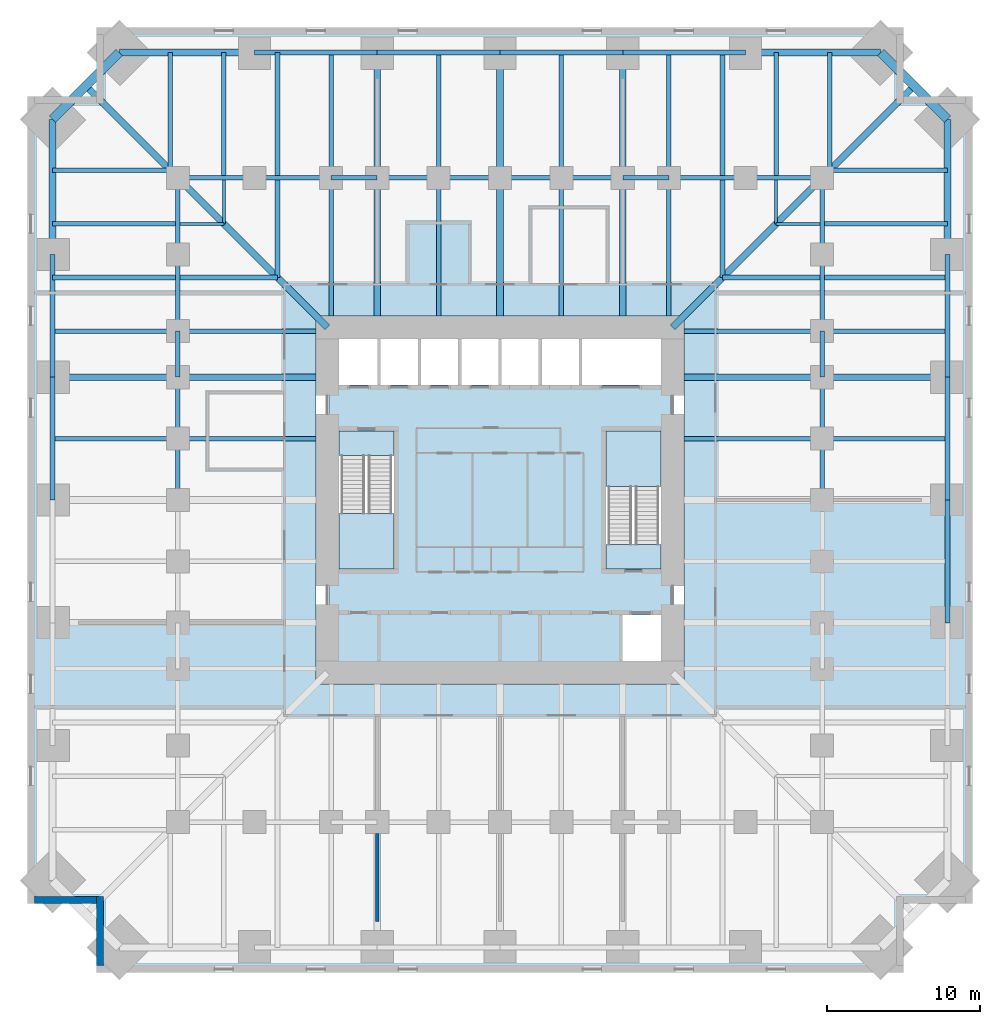
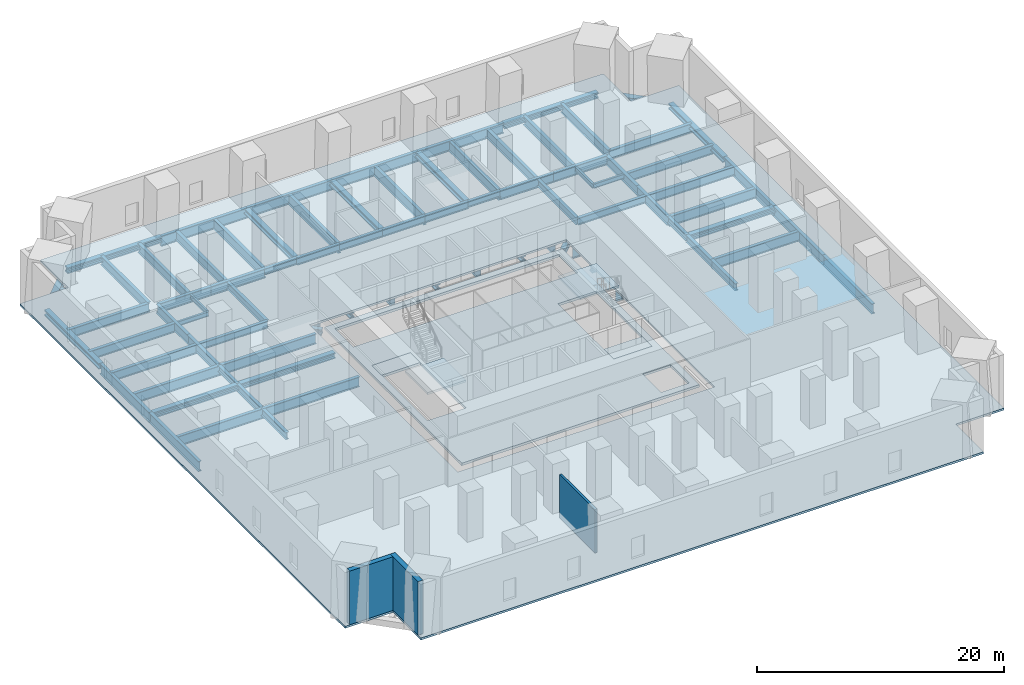
# One storey, part 2 of 8: 85 beams, 6 slabs, 3 walls, 2 elements without a shape of their own.
"""IFC4 building model written with IfcOpenShell, lengths in metres."""

from ifc_helpers import new_model, si_unit, direction, frame, frame_2d, origin, origin_2d, place, context, subcontext, project, spatial, polyline, rectangle, hollow_rectangle, i_section, outline, extrude, material, layer, layer_set, material_profile, profile_set, type_object, element, aggregate, save


model = new_model("IFC4")

# Units and contexts
model_context = context("Model", 3, precision=1e-05, world=origin(), true_north=direction((0.0, 1.0)))
body_context = subcontext(model_context, "Body", "Model", "MODEL_VIEW")
ifc_project = project(units=[si_unit("LENGTHUNIT", "METRE"), si_unit("AREAUNIT", "SQUARE_METRE"), si_unit("VOLUMEUNIT", "CUBIC_METRE"), si_unit("PLANEANGLEUNIT", "RADIAN"), si_unit("MASSUNIT", "GRAM", prefix="KILO")], contexts=[model_context])

# Site, building, storey
site_placement = place(None, origin())
site = spatial("IfcSite", under=ifc_project, at=site_placement, CompositionType="ELEMENT")
building_placement = place(site_placement, origin())
building = spatial("IfcBuilding", under=site, at=building_placement, Name="Peilmerk Tower", CompositionType="ELEMENT")
storey_placement = place(building_placement, frame((0.0, 0.0, 43.0)))
storey = spatial("IfcBuildingStorey", under=building, at=storey_placement, Name="L08", CompositionType="ELEMENT", Elevation=43.0)

# Beams
ifc_material_1 = material(Name="Steel S355", Category="steel")
ifc_material_profile_1 = material_profile(ifc_material_1, i_section(OverallWidth=0.302001953125, OverallDepth=1.008056640625, WebThickness=0.02099609375, FlangeThickness=0.0400390625, at=origin_2d()), Name="HEM 1000")
ifc_profile_set_1 = profile_set([ifc_material_profile_1], Name="Steel S355")
beam_type_1 = type_object("IfcBeamType", Name="B1 HEM 1000 edge beam", PredefinedType="SPANDREL", material=ifc_profile_set_1)
for number, where, z_axis, x_axis, name in (
    (1, (16.0, 29.162841796875, -0.7041015625), (-1.0, 0.0, 0.0), (0.0, -1.0, 0.0), "Edge beam L08"),
    (2, (8.0, 29.162841796875, -0.7041015625), (-1.0, 0.0, 0.0), (0.0, -1.0, 0.0), "Edge beam L08"),
    (3, (0.0, 29.162841796875, -0.7041015625), (-1.0, 0.0, 0.0), (0.0, -1.0, 0.0), "Edge beam L08"),
    (4, (-8.0, 29.162841796875, -0.7041015625), (-1.0, 0.0, 0.0), (0.0, -1.0, 0.0), "Edge beam L08"),
    (5, (29.162841796875, -8.0, -0.7041015625), (0.0, 1.0, 0.0), (-1.0, 0.0, 0.0), "Edge beam L08"),
    (6, (29.162841796875, 0.0, -0.7041015625), (0.0, 1.0, 0.0), (-1.0, 0.0, 0.0), "Edge beam L08"),
    (7, (29.162841796875, 8.0, -0.7041015625), (0.0, 1.0, 0.0), (-1.0, 0.0, 0.0), "Edge beam L08"),
    (8, (-29.162841796875, 16.0, -0.7041015625), (0.0, -1.0, 0.0), (1.0, 0.0, 0.0), "Edge beam L08"),
    (9, (-29.162841796875, 8.0, -0.7041015625), (0.0, -1.0, 0.0), (1.0, 0.0, 0.0), "Edge beam L08"),
):
    element("IfcBeam", number, at=place(storey_placement, frame(where, z_axis=z_axis, x_axis=x_axis)), inside=storey, type_object=beam_type_1, Name=name, PredefinedType="SPANDREL", context=body_context, shape_type="SweptSolid", body=[
        extrude(i_section(OverallWidth=0.302001953125, OverallDepth=1.008056640625, WebThickness=0.02099609375, FlangeThickness=0.0400390625, at=origin_2d()), origin(), (0.0, 0.0, 1.0), 8.0),
    ])
ifc_material_profile_2 = material_profile(ifc_material_1, i_section(OverallWidth=0.300048828125, OverallDepth=0.989990234375, WebThickness=0.0166015625, FlangeThickness=0.031005859375, at=origin_2d()), Name="HEA 1000")
ifc_profile_set_2 = profile_set([ifc_material_profile_2], Name="Steel S355")
beam_type_2 = type_object("IfcBeamType", Name="B14 HEA 1000 floor girder", PredefinedType="BEAM", material=ifc_profile_set_2)
for number, where, z_axis, x_axis, name in (
    (10, (11.0, 21.0, -0.695068359375), (0.0, 1.0, 0.0), (-1.0, 0.0, 0.0), "Floor beam L08"),
    (11, (4.0, 21.0, -0.695068359375), (0.0, 1.0, 0.0), (-1.0, 0.0, 0.0), "Floor beam L08"),
    (12, (-4.0, 21.0, -0.695068359375), (0.0, 1.0, 0.0), (-1.0, 0.0, 0.0), "Floor beam L08"),
    (13, (-11.0, 21.0, -0.695068359375), (0.0, 1.0, 0.0), (-1.0, 0.0, 0.0), "Floor beam L08"),
    (14, (21.0, 4.0, -0.695068359375), (1.0, 0.0, 0.0), (0.0, 1.0, 0.0), "Floor beam L08"),
    (15, (21.0, 11.0, -0.695068359375), (1.0, 0.0, 0.0), (0.0, 1.0, 0.0), "Floor beam L08"),
    (16, (-21.0, 11.0, -0.695068359375), (-1.0, 0.0, 0.0), (0.0, -1.0, 0.0), "Floor beam L08"),
    (17, (-21.0, 4.0, -0.695068359375), (-1.0, 0.0, 0.0), (0.0, -1.0, 0.0), "Floor beam L08"),
):
    element("IfcBeam", number, at=place(storey_placement, frame(where, z_axis=z_axis, x_axis=x_axis)), inside=storey, type_object=beam_type_2, Name=name, PredefinedType="BEAM", context=body_context, shape_type="SweptSolid", body=[
        extrude(i_section(OverallWidth=0.300048828125, OverallDepth=0.989990234375, WebThickness=0.0166015625, FlangeThickness=0.031005859375, at=origin_2d()), origin(), (0.0, 0.0, 1.0), 8.162841796875),
    ])
ifc_material_profile_3 = material_profile(ifc_material_1, i_section(OverallWidth=0.300048828125, OverallDepth=0.68994140625, WebThickness=0.014404296875, FlangeThickness=0.027099609375, at=origin_2d()), Name="HEA 700")
ifc_profile_set_3 = profile_set([ifc_material_profile_3], Name="Steel S355")
beam_type_3 = type_object("IfcBeamType", Name="B16 HEA 700 floor beam", PredefinedType="BEAM", material=ifc_profile_set_3)
for number, where, z_axis, x_axis, name in (
    (18, (14.5, 14.5, -0.544921875), (0.0, 1.0, 0.0), (-1.0, 0.0, 0.0), "Floor beam L08"),
    (19, (14.5, 14.5, -0.544921875), (1.0, 0.0, 0.0), (0.0, 1.0, 0.0), "Floor beam L08"),
    (20, (-14.5, 14.5, -0.544921875), (0.0, 1.0, 0.0), (-1.0, 0.0, 0.0), "Floor beam L08"),
    (21, (-14.5, 14.5, -0.544921875), (-1.0, 0.0, 0.0), (0.0, -1.0, 0.0), "Floor beam L08"),
):
    element("IfcBeam", number, at=place(storey_placement, frame(where, z_axis=z_axis, x_axis=x_axis)), inside=storey, type_object=beam_type_3, Name=name, PredefinedType="BEAM", context=body_context, shape_type="SweptSolid", body=[
        extrude(i_section(OverallWidth=0.300048828125, OverallDepth=0.68994140625, WebThickness=0.014404296875, FlangeThickness=0.027099609375, at=origin_2d()), origin(), (0.0, 0.0, 1.0), 6.34912109375),
    ])
ifc_material_2 = material(Name="Steel S460", Category="steel")
ifc_material_profile_4 = material_profile(ifc_material_2, i_section(OverallWidth=0.4541015625, OverallDepth=0.569091796875, WebThickness=0.077880859375, FlangeThickness=0.125, at=origin_2d()), Name="HD 400x1086")
ifc_profile_set_4 = profile_set([ifc_material_profile_4], Name="Steel S460")
beam_type_4 = type_object("IfcBeamType", Name="B17 HD 400x1086 edge beam", PredefinedType="SPANDREL", material=ifc_profile_set_4)
for number, where, z_axis, x_axis, name in (
    (22, (24.81298828125, 29.162841796875, -0.484619140625), (-1.0, 0.0, 0.0), (0.0, -1.0, 0.0), "Edge beam L08"),
    (23, (-16.0, 29.162841796875, -0.484619140625), (-1.0, 0.0, 0.0), (0.0, -1.0, 0.0), "Edge beam L08"),
    (24, (29.162841796875, 16.0, -0.484619140625), (0.0, 1.0, 0.0), (-1.0, 0.0, 0.0), "Edge beam L08"),
    (25, (-29.162841796875, 24.81298828125, -0.484619140625), (0.0, -1.0, 0.0), (1.0, 0.0, 0.0), "Edge beam L08"),
):
    element("IfcBeam", number, at=place(storey_placement, frame(where, z_axis=z_axis, x_axis=x_axis)), inside=storey, type_object=beam_type_4, Name=name, PredefinedType="SPANDREL", context=body_context, shape_type="SweptSolid", body=[
        extrude(i_section(OverallWidth=0.4541015625, OverallDepth=0.569091796875, WebThickness=0.077880859375, FlangeThickness=0.125, at=origin_2d()), origin(), (0.0, 0.0, 1.0), 8.81298828125),
    ])
ifc_material_profile_5 = material_profile(ifc_material_1, i_section(OverallWidth=0.302001953125, OverallDepth=0.909912109375, WebThickness=0.02099609375, FlangeThickness=0.0400390625, at=origin_2d()), Name="HEM 900")
ifc_profile_set_5 = profile_set([ifc_material_profile_5], Name="Steel S355")
beam_type_5 = type_object("IfcBeamType", Name="B18 HEM 900 ring girder", PredefinedType="BEAM", material=ifc_profile_set_5)
for number, where, z_axis, x_axis, name in (
    (26, (21.0, 21.0, -0.655029296875), (-1.0, 0.0, 0.0), (0.0, -1.0, 0.0), "Ring girder L08"),
    (27, (16.0, 21.0, -0.655029296875), (-1.0, 0.0, 0.0), (0.0, -1.0, 0.0), "Ring girder L08"),
    (28, (-11.0, 21.0, -0.655029296875), (-1.0, 0.0, 0.0), (0.0, -1.0, 0.0), "Ring girder L08"),
    (29, (-16.0, 21.0, -0.655029296875), (-1.0, 0.0, 0.0), (0.0, -1.0, 0.0), "Ring girder L08"),
    (30, (21.0, 11.0, -0.655029296875), (0.0, 1.0, 0.0), (-1.0, 0.0, 0.0), "Ring girder L08"),
    (31, (21.0, 16.0, -0.655029296875), (0.0, 1.0, 0.0), (-1.0, 0.0, 0.0), "Ring girder L08"),
    (32, (-21.0, 21.0, -0.655029296875), (0.0, -1.0, 0.0), (1.0, 0.0, 0.0), "Ring girder L08"),
    (33, (-21.0, 16.0, -0.655029296875), (0.0, -1.0, 0.0), (1.0, 0.0, 0.0), "Ring girder L08"),
):
    element("IfcBeam", number, at=place(storey_placement, frame(where, z_axis=z_axis, x_axis=x_axis)), inside=storey, type_object=beam_type_5, Name=name, PredefinedType="BEAM", context=body_context, shape_type="SweptSolid", body=[
        extrude(i_section(OverallWidth=0.302001953125, OverallDepth=0.909912109375, WebThickness=0.02099609375, FlangeThickness=0.0400390625, at=origin_2d()), origin(), (0.0, 0.0, 1.0), 5.0),
    ])
ifc_material_profile_6 = material_profile(ifc_material_1, i_section(OverallWidth=0.303955078125, OverallDepth=0.716064453125, WebThickness=0.02099609375, FlangeThickness=0.0400390625, at=origin_2d()), Name="HEM 700")
ifc_profile_set_6 = profile_set([ifc_material_profile_6], Name="Steel S355")
beam_type_6 = type_object("IfcBeamType", Name="B19 HEM 700 ring girder", PredefinedType="BEAM", material=ifc_profile_set_6)
for number, where, z_axis, x_axis, name in (
    (34, (8.0, 21.0, -0.55810546875), (-1.0, 0.0, 0.0), (0.0, -1.0, 0.0), "Ring girder L08"),
    (35, (4.0, 21.0, -0.55810546875), (-1.0, 0.0, 0.0), (0.0, -1.0, 0.0), "Ring girder L08"),
    (36, (0.0, 21.0, -0.55810546875), (-1.0, 0.0, 0.0), (0.0, -1.0, 0.0), "Ring girder L08"),
    (37, (-4.0, 21.0, -0.55810546875), (-1.0, 0.0, 0.0), (0.0, -1.0, 0.0), "Ring girder L08"),
    (38, (21.0, 0.0, -0.55810546875), (0.0, 1.0, 0.0), (-1.0, 0.0, 0.0), "Ring girder L08"),
    (39, (21.0, 4.0, -0.55810546875), (0.0, 1.0, 0.0), (-1.0, 0.0, 0.0), "Ring girder L08"),
    (40, (-21.0, 8.0, -0.55810546875), (0.0, -1.0, 0.0), (1.0, 0.0, 0.0), "Ring girder L08"),
    (41, (-21.0, 4.0, -0.55810546875), (0.0, -1.0, 0.0), (1.0, 0.0, 0.0), "Ring girder L08"),
):
    element("IfcBeam", number, at=place(storey_placement, frame(where, z_axis=z_axis, x_axis=x_axis)), inside=storey, type_object=beam_type_6, Name=name, PredefinedType="BEAM", context=body_context, shape_type="SweptSolid", body=[
        extrude(i_section(OverallWidth=0.303955078125, OverallDepth=0.716064453125, WebThickness=0.02099609375, FlangeThickness=0.0400390625, at=origin_2d()), origin(), (0.0, 0.0, 1.0), 4.0),
    ])
ifc_material_profile_7 = material_profile(ifc_material_2, hollow_rectangle(XDim=0.60009765625, YDim=0.60009765625, WallThickness=0.06005859375, at=origin_2d()), Name="BOX 600x600x60")
ifc_profile_set_7 = profile_set([ifc_material_profile_7], Name="Steel S460")
beam_type_7 = type_object("IfcBeamType", Name="B20 BOX 600x600x60 notch beam", PredefinedType="SPANDREL", material=ifc_profile_set_7)
for number, where, z_axis, x_axis, name in (
    (42, (24.81298828125, 29.162841796875, -0.5), (0.707106781187, -0.707106781187, 0.0), (0.707106781187, 0.707106781187, 0.0), "Notch beam L08"),
    (43, (-29.162841796875, 24.81298828125, -0.5), (0.707106781187, 0.707106781187, 0.0), (-0.707106781187, 0.707106781187, 0.0), "Notch beam L08"),
):
    element("IfcBeam", number, at=place(storey_placement, frame(where, z_axis=z_axis, x_axis=x_axis)), inside=storey, type_object=beam_type_7, Name=name, PredefinedType="SPANDREL", context=body_context, shape_type="SweptSolid", body=[
        extrude(hollow_rectangle(XDim=0.60009765625, YDim=0.60009765625, WallThickness=0.06005859375, at=origin_2d()), origin(), (0.0, 0.0, 1.0), 6.151611328125),
    ])
ifc_material_profile_8 = material_profile(ifc_material_1, i_section(OverallWidth=0.18994140625, OverallDepth=0.449951171875, WebThickness=0.009521484375, FlangeThickness=0.0146484375, at=origin_2d()), Name="IPE 450")
ifc_profile_set_8 = profile_set([ifc_material_profile_8], Name="Steel S355")
beam_type_8 = type_object("IfcBeamType", Name="B21 IPE 450 floor beam", PredefinedType="BEAM", material=ifc_profile_set_8)
for number, where, z_axis, x_axis, name in (
    (44, (18.0, 18.0, -0.425048828125), (0.0, 1.0, 0.0), (-1.0, 0.0, 0.0), "Floor beam L08"),
    (45, (18.0, 18.0, -0.425048828125), (1.0, 0.0, 0.0), (0.0, 1.0, 0.0), "Floor beam L08"),
    (46, (-18.0, 18.0, -0.425048828125), (0.0, 1.0, 0.0), (-1.0, 0.0, 0.0), "Floor beam L08"),
    (47, (-18.0, 18.0, -0.425048828125), (-1.0, 0.0, 0.0), (0.0, -1.0, 0.0), "Floor beam L08"),
):
    element("IfcBeam", number, at=place(storey_placement, frame(where, z_axis=z_axis, x_axis=x_axis)), inside=storey, type_object=beam_type_8, Name=name, PredefinedType="BEAM", context=body_context, shape_type="SweptSolid", body=[
        extrude(i_section(OverallWidth=0.18994140625, OverallDepth=0.449951171875, WebThickness=0.009521484375, FlangeThickness=0.0146484375, at=origin_2d()), origin(), (0.0, 0.0, 1.0), 2.84912109375),
    ])
ifc_material_profile_9 = material_profile(ifc_material_1, i_section(OverallWidth=0.4541015625, OverallDepth=0.569091796875, WebThickness=0.077880859375, FlangeThickness=0.125, at=origin_2d()), Name="HD 400x1086")
ifc_profile_set_9 = profile_set([ifc_material_profile_9], Name="Steel S355")
beam_type_9 = type_object("IfcBeamType", Name="B22 HD 400x1086 floor girder", PredefinedType="BEAM", material=ifc_profile_set_9)
for number, where, z_axis, x_axis, name in (
    (48, (8.0, 21.0, -0.484619140625), (0.0, 1.0, 0.0), (-1.0, 0.0, 0.0), "Floor girder L08"),
    (49, (0.0, 21.0, -0.484619140625), (0.0, 1.0, 0.0), (-1.0, 0.0, 0.0), "Floor girder L08"),
    (50, (-8.0, 21.0, -0.484619140625), (0.0, 1.0, 0.0), (-1.0, 0.0, 0.0), "Floor girder L08"),
    (51, (21.0, 8.0, -0.484619140625), (1.0, 0.0, 0.0), (0.0, 1.0, 0.0), "Floor girder L08"),
    (52, (-21.0, 8.0, -0.484619140625), (-1.0, 0.0, 0.0), (0.0, -1.0, 0.0), "Floor girder L08"),
):
    element("IfcBeam", number, at=place(storey_placement, frame(where, z_axis=z_axis, x_axis=x_axis)), inside=storey, type_object=beam_type_9, Name=name, PredefinedType="BEAM", context=body_context, shape_type="SweptSolid", body=[
        extrude(i_section(OverallWidth=0.4541015625, OverallDepth=0.569091796875, WebThickness=0.077880859375, FlangeThickness=0.125, at=origin_2d()), origin(), (0.0, 0.0, 1.0), 8.162841796875),
    ])
ifc_material_profile_10 = material_profile(ifc_material_1, i_section(OverallWidth=0.300048828125, OverallDepth=0.889892578125, WebThickness=0.01611328125, FlangeThickness=0.030029296875, at=origin_2d()), Name="HEA 900")
ifc_profile_set_10 = profile_set([ifc_material_profile_10], Name="Steel S355")
beam_type_10 = type_object("IfcBeamType", Name="B4 HEA 900 floor beam", PredefinedType="BEAM", material=ifc_profile_set_10)
for number, where, z_axis, x_axis, name in (
    (53, (14.5, 21.15087890625, -0.64501953125), (0.0, 1.0, 0.0), (-1.0, 0.0, 0.0), "Floor beam L08"),
    (54, (21.15087890625, 14.5, -0.64501953125), (1.0, 0.0, 0.0), (0.0, 1.0, 0.0), "Floor beam L08"),
    (55, (18.0, 21.15087890625, -0.64501953125), (0.0, 1.0, 0.0), (-1.0, 0.0, 0.0), "Floor beam L08"),
    (56, (21.15087890625, 18.0, -0.64501953125), (1.0, 0.0, 0.0), (0.0, 1.0, 0.0), "Floor beam L08"),
):
    element("IfcBeam", number, at=place(storey_placement, frame(where, z_axis=z_axis, x_axis=x_axis)), inside=storey, type_object=beam_type_10, Name=name, PredefinedType="BEAM", context=body_context, shape_type="SweptSolid", body=[
        extrude(i_section(OverallWidth=0.300048828125, OverallDepth=0.889892578125, WebThickness=0.01611328125, FlangeThickness=0.030029296875, at=origin_2d()), origin(), (0.0, 0.0, 1.0), 8.011962890625),
    ])
for number, where, z_axis, x_axis, name in (
    (57, (21.5, 21.5, -0.64501953125), (0.0, 1.0, 0.0), (-1.0, 0.0, 0.0), "Floor beam L08"),
    (58, (21.5, 21.5, -0.64501953125), (1.0, 0.0, 0.0), (0.0, 1.0, 0.0), "Floor beam L08"),
):
    element("IfcBeam", number, at=place(storey_placement, frame(where, z_axis=z_axis, x_axis=x_axis)), inside=storey, type_object=beam_type_10, Name=name, PredefinedType="BEAM", context=body_context, shape_type="SweptSolid", body=[
        extrude(i_section(OverallWidth=0.300048828125, OverallDepth=0.889892578125, WebThickness=0.01611328125, FlangeThickness=0.030029296875, at=origin_2d()), origin(), (0.0, 0.0, 1.0), 7.662841796875),
    ])
for number, where, z_axis, x_axis, name in (
    (59, (-14.5, 21.15087890625, -0.64501953125), (0.0, 1.0, 0.0), (-1.0, 0.0, 0.0), "Floor beam L08"),
    (60, (-21.15087890625, 14.5, -0.64501953125), (-1.0, 0.0, 0.0), (0.0, -1.0, 0.0), "Floor beam L08"),
    (61, (-18.0, 21.15087890625, -0.64501953125), (0.0, 1.0, 0.0), (-1.0, 0.0, 0.0), "Floor beam L08"),
    (62, (-21.15087890625, 18.0, -0.64501953125), (-1.0, 0.0, 0.0), (0.0, -1.0, 0.0), "Floor beam L08"),
):
    element("IfcBeam", number, at=place(storey_placement, frame(where, z_axis=z_axis, x_axis=x_axis)), inside=storey, type_object=beam_type_10, Name=name, PredefinedType="BEAM", context=body_context, shape_type="SweptSolid", body=[
        extrude(i_section(OverallWidth=0.300048828125, OverallDepth=0.889892578125, WebThickness=0.01611328125, FlangeThickness=0.030029296875, at=origin_2d()), origin(), (0.0, 0.0, 1.0), 8.011962890625),
    ])
for number, where, z_axis, x_axis, name in (
    (63, (-21.5, 21.5, -0.64501953125), (0.0, 1.0, 0.0), (-1.0, 0.0, 0.0), "Floor beam L08"),
    (64, (-21.5, 21.5, -0.64501953125), (-1.0, 0.0, 0.0), (0.0, -1.0, 0.0), "Floor beam L08"),
):
    element("IfcBeam", number, at=place(storey_placement, frame(where, z_axis=z_axis, x_axis=x_axis)), inside=storey, type_object=beam_type_10, Name=name, PredefinedType="BEAM", context=body_context, shape_type="SweptSolid", body=[
        extrude(i_section(OverallWidth=0.300048828125, OverallDepth=0.889892578125, WebThickness=0.01611328125, FlangeThickness=0.030029296875, at=origin_2d()), origin(), (0.0, 0.0, 1.0), 7.662841796875),
    ])
ifc_material_profile_11 = material_profile(ifc_material_1, i_section(OverallWidth=0.300048828125, OverallDepth=1.0, WebThickness=0.01904296875, FlangeThickness=0.035888671875, at=origin_2d()), Name="HEB 1000")
ifc_profile_set_11 = profile_set([ifc_material_profile_11], Name="Steel S355")
beam_type_11 = type_object("IfcBeamType", Name="B5 HEB 1000 floor girder", PredefinedType="BEAM", material=ifc_profile_set_11)
for number, where, z_axis, x_axis, name in (
    (65, (11.0, 12.0, -0.699951171875), (0.0, 1.0, 0.0), (-1.0, 0.0, 0.0), "Floor beam L08"),
    (66, (4.0, 12.0, -0.699951171875), (0.0, 1.0, 0.0), (-1.0, 0.0, 0.0), "Floor beam L08"),
    (67, (-4.0, 12.0, -0.699951171875), (0.0, 1.0, 0.0), (-1.0, 0.0, 0.0), "Floor beam L08"),
    (68, (-11.0, 12.0, -0.699951171875), (0.0, 1.0, 0.0), (-1.0, 0.0, 0.0), "Floor beam L08"),
    (69, (12.0, 4.0, -0.699951171875), (1.0, 0.0, 0.0), (0.0, 1.0, 0.0), "Floor beam L08"),
    (70, (12.0, 11.0, -0.699951171875), (1.0, 0.0, 0.0), (0.0, 1.0, 0.0), "Floor beam L08"),
    (71, (-12.0, 11.0, -0.699951171875), (-1.0, 0.0, 0.0), (0.0, -1.0, 0.0), "Floor beam L08"),
    (72, (-12.0, 4.0, -0.699951171875), (-1.0, 0.0, 0.0), (0.0, -1.0, 0.0), "Floor beam L08"),
):
    element("IfcBeam", number, at=place(storey_placement, frame(where, z_axis=z_axis, x_axis=x_axis)), inside=storey, type_object=beam_type_11, Name=name, PredefinedType="BEAM", context=body_context, shape_type="SweptSolid", body=[
        extrude(i_section(OverallWidth=0.300048828125, OverallDepth=1.0, WebThickness=0.01904296875, FlangeThickness=0.035888671875, at=origin_2d()), origin(), (0.0, 0.0, 1.0), 9.0),
    ])
ifc_material_profile_12 = material_profile(ifc_material_1, i_section(OverallWidth=0.304931640625, OverallDepth=0.6201171875, WebThickness=0.02099609375, FlangeThickness=0.0400390625, at=origin_2d()), Name="HEM 600")
ifc_profile_set_12 = profile_set([ifc_material_profile_12], Name="Steel S355")
beam_type_12 = type_object("IfcBeamType", Name="B6 HEM 600 ring girder", PredefinedType="BEAM", material=ifc_profile_set_12)
for number, where, z_axis, x_axis, name in (
    (73, (11.0, 21.0, -0.510009765625), (-1.0, 0.0, 0.0), (0.0, -1.0, 0.0), "Ring girder L08"),
    (74, (-8.0, 21.0, -0.510009765625), (-1.0, 0.0, 0.0), (0.0, -1.0, 0.0), "Ring girder L08"),
    (75, (21.0, 8.0, -0.510009765625), (0.0, 1.0, 0.0), (-1.0, 0.0, 0.0), "Ring girder L08"),
    (76, (-21.0, 11.0, -0.510009765625), (0.0, -1.0, 0.0), (1.0, 0.0, 0.0), "Ring girder L08"),
):
    element("IfcBeam", number, at=place(storey_placement, frame(where, z_axis=z_axis, x_axis=x_axis)), inside=storey, type_object=beam_type_12, Name=name, PredefinedType="BEAM", context=body_context, shape_type="SweptSolid", body=[
        extrude(i_section(OverallWidth=0.304931640625, OverallDepth=0.6201171875, WebThickness=0.02099609375, FlangeThickness=0.0400390625, at=origin_2d()), origin(), (0.0, 0.0, 1.0), 3.0),
    ])
ifc_material_profile_13 = material_profile(ifc_material_2, i_section(OverallWidth=0.4541015625, OverallDepth=0.569091796875, WebThickness=0.077880859375, FlangeThickness=0.125, at=origin_2d()), Name="HD 400x1086")
ifc_profile_set_13 = profile_set([ifc_material_profile_13], Name="Steel S460")
beam_type_13 = type_object("IfcBeamType", Name="B9 HD 400x1086 corner girder", PredefinedType="BEAM", material=ifc_profile_set_13)
for number, where, z_axis, x_axis, name in (
    (77, (8.0, 12.0, -0.484619140625), (0.0, 1.0, 0.0), (-1.0, 0.0, 0.0), "Floor girder L08"),
    (78, (0.0, 12.0, -0.484619140625), (0.0, 1.0, 0.0), (-1.0, 0.0, 0.0), "Floor girder L08"),
    (79, (-8.0, 12.0, -0.484619140625), (0.0, 1.0, 0.0), (-1.0, 0.0, 0.0), "Floor girder L08"),
    (80, (12.0, 8.0, -0.484619140625), (1.0, 0.0, 0.0), (0.0, 1.0, 0.0), "Floor girder L08"),
    (81, (-12.0, 8.0, -0.484619140625), (-1.0, 0.0, 0.0), (0.0, -1.0, 0.0), "Floor girder L08"),
):
    element("IfcBeam", number, at=place(storey_placement, frame(where, z_axis=z_axis, x_axis=x_axis)), inside=storey, type_object=beam_type_13, Name=name, PredefinedType="BEAM", context=body_context, shape_type="SweptSolid", body=[
        extrude(i_section(OverallWidth=0.4541015625, OverallDepth=0.569091796875, WebThickness=0.077880859375, FlangeThickness=0.125, at=origin_2d()), origin(), (0.0, 0.0, 1.0), 9.0),
    ])
beam_1_placement = place(storey_placement, frame((11.25, 11.25, -0.484619140625), z_axis=(0.707106781187, 0.707106781187, 0.0), x_axis=(-0.707106781187, 0.707106781187, 0.0)))
element("IfcBeam", 82, at=beam_1_placement, inside=storey, type_object=beam_type_13, Name="Corner girder L08", PredefinedType="BEAM", context=body_context, shape_type="SweptSolid", body=[
    extrude(i_section(OverallWidth=0.4541015625, OverallDepth=0.569091796875, WebThickness=0.077880859375, FlangeThickness=0.125, at=origin_2d()), origin(), (0.0, 0.0, 1.0), 13.78857421875),
])
beam_2_placement = place(storey_placement, frame((21.0, 21.0, -0.484619140625), z_axis=(0.707106781187, 0.707106781187, 0.0), x_axis=(-0.707106781187, 0.707106781187, 0.0)))
element("IfcBeam", 83, at=beam_2_placement, inside=storey, type_object=beam_type_13, Name="Corner girder L08", PredefinedType="BEAM", context=body_context, shape_type="SweptSolid", body=[
    extrude(i_section(OverallWidth=0.4541015625, OverallDepth=0.569091796875, WebThickness=0.077880859375, FlangeThickness=0.125, at=origin_2d()), origin(), (0.0, 0.0, 1.0), 8.468017578125),
])
beam_3_placement = place(storey_placement, frame((-11.25, 11.25, -0.484619140625), z_axis=(-0.707106781187, 0.707106781187, 0.0), x_axis=(-0.707106781187, -0.707106781187, 0.0)))
element("IfcBeam", 84, at=beam_3_placement, inside=storey, type_object=beam_type_13, Name="Corner girder L08", PredefinedType="BEAM", context=body_context, shape_type="SweptSolid", body=[
    extrude(i_section(OverallWidth=0.4541015625, OverallDepth=0.569091796875, WebThickness=0.077880859375, FlangeThickness=0.125, at=origin_2d()), origin(), (0.0, 0.0, 1.0), 13.78857421875),
])
beam_4_placement = place(storey_placement, frame((-21.0, 21.0, -0.484619140625), z_axis=(-0.707106781187, 0.707106781187, 0.0), x_axis=(-0.707106781187, -0.707106781187, 0.0)))
element("IfcBeam", 85, at=beam_4_placement, inside=storey, type_object=beam_type_13, Name="Corner girder L08", PredefinedType="BEAM", context=body_context, shape_type="SweptSolid", body=[
    extrude(i_section(OverallWidth=0.4541015625, OverallDepth=0.569091796875, WebThickness=0.077880859375, FlangeThickness=0.125, at=origin_2d()), origin(), (0.0, 0.0, 1.0), 8.468017578125),
])

# Slabs
ifc_material_3 = material(Name="Concrete C55/67", Category="concrete")
ifc_layer_1 = layer(ifc_material_3, 0.25)
ifc_layer_set_1 = layer_set([ifc_layer_1], Name="Concrete C55/67")
slab_type_1 = type_object("IfcSlabType", Name="CS250 250 core floor slab", PredefinedType="FLOOR", material=ifc_layer_set_1)
slab_1_placement = place(storey_placement, frame((0.0, 0.0, -0.25)))
element("IfcSlab", 86, at=slab_1_placement, inside=storey, type_object=slab_type_1, Name="Core slab L08", PredefinedType="FLOOR", context=body_context, shape_type="SweptSolid", body=[
    extrude(outline(polyline([(-11.10009765625, 11.10009765625), (-11.10009765625, -11.10009765625), (11.10009765625, -11.10009765625), (11.10009765625, 11.10009765625), (-11.10009765625, 11.10009765625)]), holes=[polyline([(10.5, 7.5), (-10.5, 7.5), (-10.5, 10.5), (10.5, 10.5), (10.5, 7.5)]), polyline([(7.875, -10.5), (7.875, -7.5), (10.5, -7.5), (10.5, -10.5), (7.875, -10.5)]), polyline([(-10.5, 4.5), (-6.89990234375, 4.5), (-6.89990234375, -4.5), (-10.5, -4.5), (-10.5, 4.5)]), polyline([(10.5, 4.5), (10.5, -4.5), (6.89990234375, -4.5), (6.89990234375, 4.5), (10.5, 4.5)])]), origin(), (0.0, 0.0, 1.0), 0.25),
])
ifc_material_4 = material(Name="Concrete C35/45", Category="concrete")
ifc_layer_2 = layer(ifc_material_4, 0.199951171875)
ifc_layer_set_2 = layer_set([ifc_layer_2], Name="Concrete C35/45")
slab_type_2 = type_object("IfcSlabType", Name="FS200 200 composite floor slab", PredefinedType="FLOOR", material=ifc_layer_set_2)
slab_2_placement = place(storey_placement, frame((0.0, 0.0, -0.199951171875)))
element("IfcSlab", 87, at=slab_2_placement, inside=storey, type_object=slab_type_2, Name="Floor slab L08", PredefinedType="FLOOR", context=body_context, shape_type="SweptSolid", body=[
    extrude(outline(polyline([(-26.300048828125, -30.800048828125), (26.300048828125, -30.800048828125), (26.300048828125, -26.300048828125), (30.800048828125, -26.300048828125), (30.800048828125, 26.300048828125), (26.300048828125, 26.300048828125), (26.300048828125, 30.800048828125), (-26.300048828125, 30.800048828125), (-26.300048828125, 26.300048828125), (-30.800048828125, 26.300048828125), (-30.800048828125, -26.300048828125), (-26.300048828125, -26.300048828125), (-26.300048828125, -30.800048828125)]), holes=[polyline([(12.0, 12.0), (12.0, -12.0), (-12.0, -12.0), (-12.0, 12.0), (12.0, 12.0)])]), origin(), (0.0, 0.0, 1.0), 0.199951171875),
])

# Stair, slab
ifc_material_5 = material(Name="Precast concrete C45/55", Category="concrete")
stair_type_1 = type_object("IfcStairType", Name="ST1 30 risers of 183.3", PredefinedType="HALF_TURN_STAIR", material=ifc_material_5)
stair_1_placement = place(storey_placement, origin())
stair_1 = element("IfcStair", 88, at=stair_1_placement, inside=storey, type_object=stair_type_1, Name="Stair 1 L08 to L09", PredefinedType="HALF_TURN_STAIR")
ifc_layer_3 = layer(ifc_material_4, 0.199951171875)
ifc_layer_set_3 = layer_set([ifc_layer_3], Name="Concrete C35/45")
slab_type_3 = type_object("IfcSlabType", Name="SL1 200 concrete stair landing", PredefinedType="LANDING", material=ifc_layer_set_3)
slab_3_placement = place(storey_placement, frame((0.0, 0.0, 2.550048828125)))
slab_3 = element("IfcSlab", 89, at=slab_3_placement, type_object=slab_type_3, Name="ST1 landing 1", PredefinedType="LANDING", context=body_context, shape_type="SweptSolid", body=[
    extrude(outline(polyline([(-10.5, -4.5), (-6.89990234375, -4.5), (-6.89990234375, -0.8798828125), (-10.5, -0.8798828125), (-10.5, -4.5)])), origin(), (0.0, 0.0, 1.0), 0.199951171875),
])

stair_type_2 = type_object("IfcStairType", Name="ST2 30 risers of 183.3", PredefinedType="HALF_TURN_STAIR", material=ifc_material_5)
stair_2_placement = place(storey_placement, origin())
stair_2 = element("IfcStair", 90, at=stair_2_placement, inside=storey, type_object=stair_type_2, Name="Stair 2 L08 to L09", PredefinedType="HALF_TURN_STAIR")
slab_4_placement = place(storey_placement, frame((0.0, 0.0, 2.550048828125)))
slab_4 = element("IfcSlab", 91, at=slab_4_placement, type_object=slab_type_3, Name="ST2 landing 1", PredefinedType="LANDING", context=body_context, shape_type="SweptSolid", body=[
    extrude(outline(polyline([(6.89990234375, 0.8798828125), (10.5, 0.8798828125), (10.5, 4.5), (6.89990234375, 4.5), (6.89990234375, 0.8798828125)])), origin(), (0.0, 0.0, 1.0), 0.199951171875),
])

# Slab
ifc_layer_4 = layer(ifc_material_4, 0.25)
ifc_layer_set_4 = layer_set([ifc_layer_4], Name="Concrete C35/45")
slab_type_4 = type_object("IfcSlabType", Name="SL2 250 concrete floor landing", PredefinedType="LANDING", material=ifc_layer_set_4)
slab_5_placement = place(storey_placement, frame((0.0, 0.0, -0.25)))
slab_5 = element("IfcSlab", 92, at=slab_5_placement, type_object=slab_type_4, Name="ST1 floor landing", PredefinedType="LANDING", context=body_context, shape_type="SweptSolid", body=[
    extrude(outline(polyline([(-10.5, 2.89990234375), (-6.89990234375, 2.89990234375), (-6.89990234375, 4.5), (-10.5, 4.5), (-10.5, 2.89990234375)])), origin(), (0.0, 0.0, 1.0), 0.25),
])

aggregate(stair_1, [slab_3, slab_5])

slab_6_placement = place(storey_placement, frame((0.0, 0.0, -0.25)))
slab_6 = element("IfcSlab", 93, at=slab_6_placement, type_object=slab_type_4, Name="ST2 floor landing", PredefinedType="LANDING", context=body_context, shape_type="SweptSolid", body=[
    extrude(outline(polyline([(6.89990234375, -4.5), (10.5, -4.5), (10.5, -2.89990234375), (6.89990234375, -2.89990234375), (6.89990234375, -4.5)])), origin(), (0.0, 0.0, 1.0), 0.25),
])

aggregate(stair_2, [slab_4, slab_6])

# Walls
ifc_material_6 = material(Name="Precast concrete C45/55, board-marked finish", Category="concrete")
ifc_layer_5 = layer(ifc_material_6, 0.449951171875)
ifc_layer_set_5 = layer_set([ifc_layer_5], Name="Precast concrete C45/55, board-marked finish")
wall_type_1 = type_object("IfcWallType", Name="EW1 450 precast concrete facade wall, board-marked", PredefinedType="SOLIDWALL", material=ifc_layer_set_5)
wall_1_placement = place(storey_placement, frame((-26.074951171875, -25.85009765625, 0.0), z_axis=(0.0, 0.0, 1.0), x_axis=(0.0, -1.0, 0.0)))
element("IfcWall", 94, at=wall_1_placement, inside=storey, type_object=wall_type_1, Name="Facade wall SWA L08", PredefinedType="SOLIDWALL", context=body_context, shape_type="SweptSolid", body=[
    extrude(rectangle(XDim=4.5, YDim=0.449951171875, at=frame_2d((2.25, 0.0))), origin(), (0.0, 0.0, 1.0), 5.300048828125),
])
wall_2_placement = place(storey_placement, frame((-26.300048828125, -26.074951171875, 0.0), z_axis=(0.0, 0.0, 1.0), x_axis=(-1.0, 0.0, 0.0)))
element("IfcWall", 95, at=wall_2_placement, inside=storey, type_object=wall_type_1, Name="Facade wall SWB L08", PredefinedType="SOLIDWALL", context=body_context, shape_type="SweptSolid", body=[
    extrude(rectangle(XDim=4.050048828125, YDim=0.449951171875, at=frame_2d((2.02490234375, 0.0))), origin(), (0.0, 0.0, 1.0), 5.300048828125),
])
ifc_material_7 = material(Name="Calcium silicate block", Category="masonry")
ifc_layer_6 = layer(ifc_material_7, 0.199951171875)
ifc_layer_set_6 = layer_set([ifc_layer_6], Name="Calcium silicate block")
wall_type_2 = type_object("IfcWallType", Name="IW2 200 room separating wall, EI 120", PredefinedType="PARTITIONING", material=ifc_layer_set_6)
wall_3_placement = place(storey_placement, frame((-8.0, -21.75, 0.0), z_axis=(0.0, 0.0, 1.0), x_axis=(0.0, -1.0, 0.0)))
element("IfcWall", 96, at=wall_3_placement, inside=storey, type_object=wall_type_2, Name="Room separating wall S1b L08", PredefinedType="PARTITIONING", context=body_context, shape_type="SweptSolid", body=[
    extrude(rectangle(XDim=5.706298828125, YDim=0.199951171875, at=frame_2d((2.85302734375, 0.0))), origin(), (0.0, 0.0, 1.0), 4.2919921875),
])

save(model, "model.ifc")
